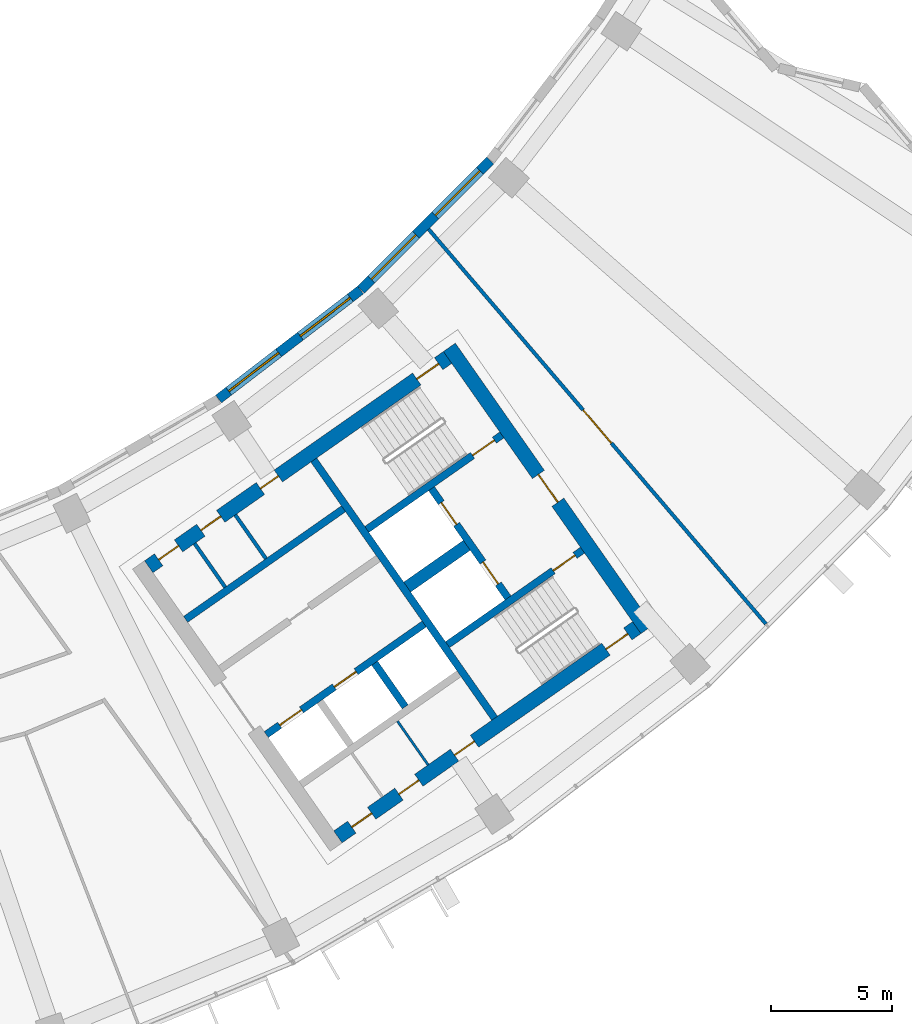
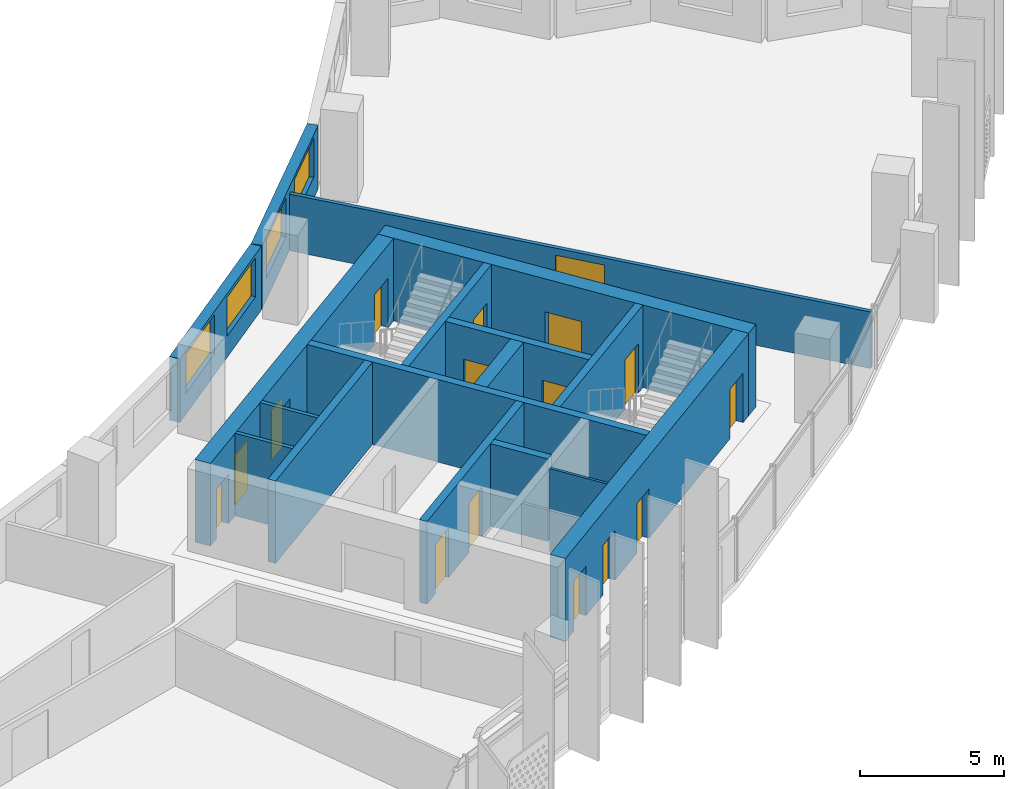
# One storey, part 7 of 27: 17 walls, 16 doors, 4 windows, 20 openings.
"""IFC4 building model written with IfcOpenShell, lengths in metres."""

from ifc_helpers import new_model, si_unit, direction, frame, frame_2d, origin, place, context, subcontext, project, spatial, rectangle, extrude, material, layer, layer_set, type_object, element, fill, save


model = new_model("IFC4")

# Units and contexts
model_context = context("Model", 3, precision=1e-05, world=origin(), true_north=direction((0.0, 1.0)))
body_context = subcontext(model_context, "Body", "Model", "MODEL_VIEW")
ifc_project = project(units=[si_unit("LENGTHUNIT", "METRE"), si_unit("AREAUNIT", "SQUARE_METRE"), si_unit("VOLUMEUNIT", "CUBIC_METRE"), si_unit("PLANEANGLEUNIT", "RADIAN"), si_unit("MASSUNIT", "GRAM", prefix="KILO")], contexts=[model_context])

# Site, building, storey
site_placement = place(None, origin())
site = spatial("IfcSite", under=ifc_project, at=site_placement, CompositionType="ELEMENT")
building_placement = place(site_placement, origin())
building = spatial("IfcBuilding", under=site, at=building_placement, Name="Qamariyya Broadcast Tower", CompositionType="ELEMENT")
storey_placement = place(building_placement, frame((0.0, 0.0, 179.699951171875)))
storey = spatial("IfcBuildingStorey", under=building, at=storey_placement, Name="L42", CompositionType="ELEMENT", Elevation=179.699951171875)

# Wall, opening, door
ifc_material_1 = material(Name="Concrete C60/75", Category="concrete")
ifc_layer_1 = layer(ifc_material_1, 0.60009765625)
ifc_layer_set_1 = layer_set([ifc_layer_1], Name="Core wall 600 mm Concrete C60/75")
wall_type_1 = type_object("IfcWallType", Name="Core wall 600 mm Concrete C60/75", PredefinedType="SHEAR", material=ifc_layer_set_1)
wall_1_placement = place(storey_placement, frame((49.4833984375, -57.031494140625, 0.0), z_axis=(0.0, 0.0, 1.0), x_axis=(-0.573560421458, 0.819163257805, 0.0)))
wall_1 = element("IfcWall", 1, at=wall_1_placement, inside=storey, type_object=wall_type_1, Name="k-E-L42-WH", PredefinedType="SHEAR", context=body_context, shape_type="SweptSolid", body=[
    extrude(rectangle(XDim=14.199951171875, YDim=0.60009765625, at=frame_2d((7.10009765625, 0.0))), origin(), (0.0, 0.0, 1.0), 3.5),
])
opening_1_placement = place(wall_1_placement, frame((6.39990234375, 0.0, 0.0)))
opening_1 = element("IfcOpeningElement", 2, at=opening_1_placement, cuts=wall_1, Name="Opening KD2-E1", PredefinedType="OPENING", context=body_context, shape_type="SweptSolid", body=[
    extrude(rectangle(XDim=1.39990234375, YDim=2.10009765625, at=frame_2d((0.699951171875, 1.050048828125))), frame((0.0, 0.31005859375, 0.0), z_axis=(0.0, -1.0, 0.0), x_axis=(1.0, 0.0, 0.0)), (0.0, 0.0, 1.0), 0.6201171875),
])
ifc_material_2 = material(Name="Steel fire-resisting door leaf", Category="steel")
door_type_1 = type_object("IfcDoorType", Name="Fire-fighting lobby door KD2", OperationType="DOUBLE_DOOR_SINGLE_SWING", PredefinedType="DOOR", material=ifc_material_2)
door_1_placement = place(opening_1_placement, origin())
door_1 = element("IfcDoor", 3, at=door_1_placement, inside=storey, type_object=door_type_1, Name="k-E-L42-WH-D13", OperationType="DOUBLE_DOOR_SINGLE_SWING", OverallHeight=2.10009765625, OverallWidth=1.39990234375, PredefinedType="DOOR", context=body_context, shape_type="SweptSolid", body=[
    extrude(rectangle(XDim=1.39990234375, YDim=2.10009765625, at=frame_2d((0.699951171875, 1.050048828125))), frame((0.0, 0.02490234375, 0.0), z_axis=(0.0, -1.0, 0.0), x_axis=(1.0, 0.0, 0.0)), (0.0, 0.0, 1.0), 0.050048828125),
])
fill(opening_1, door_1)

# Wall, openings, doors
wall_2_placement = place(storey_placement, frame((28.940673828125, -54.447021484375, 0.0), z_axis=(0.0, 0.0, 1.0), x_axis=(0.819153391756, 0.573574511963, 0.0)))
wall_2 = element("IfcWall", 4, at=wall_2_placement, inside=storey, type_object=wall_type_1, Name="k-E-L42-WI", PredefinedType="SHEAR", context=body_context, shape_type="SweptSolid", body=[
    extrude(rectangle(XDim=15.04541015625, YDim=0.60009765625, at=frame_2d((7.522705078125, 0.0))), origin(), (0.0, 0.0, 1.0), 3.5),
])
opening_2_placement = place(wall_2_placement, frame((0.5, 0.0, 0.0)))
opening_2 = element("IfcOpeningElement", 5, at=opening_2_placement, cuts=wall_2, Name="Opening KD6-E2", PredefinedType="OPENING", context=body_context, shape_type="SweptSolid", body=[
    extrude(rectangle(XDim=1.0, YDim=2.10009765625, at=frame_2d((0.5, 1.050048828125))), frame((0.0, 0.31005859375, 0.0), z_axis=(0.0, -1.0, 0.0), x_axis=(1.0, 0.0, 0.0)), (0.0, 0.0, 1.0), 0.6201171875),
])
opening_3_placement = place(wall_2_placement, frame((2.625, 0.0, 0.0)))
opening_3 = element("IfcOpeningElement", 6, at=opening_3_placement, cuts=wall_2, Name="Opening KD7-E1", PredefinedType="OPENING", context=body_context, shape_type="SweptSolid", body=[
    extrude(rectangle(XDim=1.0, YDim=2.10009765625, at=frame_2d((0.5, 1.050048828125))), frame((0.0, 0.31005859375, 0.0), z_axis=(0.0, -1.0, 0.0), x_axis=(1.0, 0.0, 0.0)), (0.0, 0.0, 1.0), 0.6201171875),
])
opening_4_placement = place(wall_2_placement, frame((5.625, 0.0, 0.0)))
opening_4 = element("IfcOpeningElement", 7, at=opening_4_placement, cuts=wall_2, Name="Opening KD5-E1", PredefinedType="OPENING", context=body_context, shape_type="SweptSolid", body=[
    extrude(rectangle(XDim=0.89990234375, YDim=2.10009765625, at=frame_2d((0.449951171875, 1.050048828125))), frame((0.0, 0.31005859375, 0.0), z_axis=(0.0, -1.0, 0.0), x_axis=(1.0, 0.0, 0.0)), (0.0, 0.0, 1.0), 0.6201171875),
])
opening_5_placement = place(wall_2_placement, frame((13.495361328125, 0.0, 0.0)))
opening_5 = element("IfcOpeningElement", 8, at=opening_5_placement, cuts=wall_2, Name="Opening KD1-E1", PredefinedType="OPENING", context=body_context, shape_type="SweptSolid", body=[
    extrude(rectangle(XDim=1.10009765625, YDim=2.10009765625, at=frame_2d((0.550048828125, 1.050048828125))), frame((0.0, 0.31005859375, 0.0), z_axis=(0.0, -1.0, 0.0), x_axis=(1.0, 0.0, 0.0)), (0.0, 0.0, 1.0), 0.6201171875),
])
door_type_2 = type_object("IfcDoorType", Name="Accessible toilet door KD7", OperationType="SINGLE_SWING_LEFT", PredefinedType="DOOR", material=ifc_material_2)
door_2_placement = place(opening_3_placement, origin())
door_2 = element("IfcDoor", 9, at=door_2_placement, inside=storey, type_object=door_type_2, Name="k-E-L42-WI-D6", OperationType="SINGLE_SWING_RIGHT", OverallHeight=2.10009765625, OverallWidth=1.0, PredefinedType="DOOR", context=body_context, shape_type="SweptSolid", body=[
    extrude(rectangle(XDim=1.0, YDim=2.10009765625, at=frame_2d((0.5, 1.050048828125))), frame((0.0, 0.02490234375, 0.0), z_axis=(0.0, -1.0, 0.0), x_axis=(1.0, 0.0, 0.0)), (0.0, 0.0, 1.0), 0.050048828125),
])
fill(opening_3, door_2)
door_type_3 = type_object("IfcDoorType", Name="Core room door KD6", OperationType="SINGLE_SWING_LEFT", PredefinedType="DOOR", material=ifc_material_2)
door_3_placement = place(opening_2_placement, origin())
door_3 = element("IfcDoor", 10, at=door_3_placement, inside=storey, type_object=door_type_3, Name="k-E-L42-WI-D5", OperationType="SINGLE_SWING_LEFT", OverallHeight=2.10009765625, OverallWidth=1.0, PredefinedType="DOOR", context=body_context, shape_type="SweptSolid", body=[
    extrude(rectangle(XDim=1.0, YDim=2.10009765625, at=frame_2d((0.5, 1.050048828125))), frame((0.0, 0.02490234375, 0.0), z_axis=(0.0, -1.0, 0.0), x_axis=(1.0, 0.0, 0.0)), (0.0, 0.0, 1.0), 0.050048828125),
])
fill(opening_2, door_3)
door_type_4 = type_object("IfcDoorType", Name="Stair door KD1", OperationType="SINGLE_SWING_LEFT", PredefinedType="DOOR", material=ifc_material_2)
door_4_placement = place(opening_5_placement, origin())
door_4 = element("IfcDoor", 11, at=door_4_placement, inside=storey, type_object=door_type_4, Name="k-E-L42-WI-D14", OperationType="SINGLE_SWING_RIGHT", OverallHeight=2.10009765625, OverallWidth=1.10009765625, PredefinedType="DOOR", context=body_context, shape_type="SweptSolid", body=[
    extrude(rectangle(XDim=1.10009765625, YDim=2.10009765625, at=frame_2d((0.550048828125, 1.050048828125))), frame((0.0, 0.02490234375, 0.0), z_axis=(0.0, -1.0, 0.0), x_axis=(1.0, 0.0, 0.0)), (0.0, 0.0, 1.0), 0.050048828125),
])
fill(opening_5, door_4)
door_type_5 = type_object("IfcDoorType", Name="Toilet door KD5", OperationType="SINGLE_SWING_LEFT", PredefinedType="DOOR", material=ifc_material_2)
door_5_placement = place(opening_4_placement, origin())
door_5 = element("IfcDoor", 12, at=door_5_placement, inside=storey, type_object=door_type_5, Name="k-E-L42-WI-D7", OperationType="SINGLE_SWING_LEFT", OverallHeight=2.10009765625, OverallWidth=0.89990234375, PredefinedType="DOOR", context=body_context, shape_type="SweptSolid", body=[
    extrude(rectangle(XDim=0.89990234375, YDim=2.10009765625, at=frame_2d((0.449951171875, 1.050048828125))), frame((0.0, 0.02490234375, 0.0), z_axis=(0.0, -1.0, 0.0), x_axis=(1.0, 0.0, 0.0)), (0.0, 0.0, 1.0), 0.050048828125),
])
fill(opening_4, door_5)

wall_3_placement = place(storey_placement, frame((36.7412109375, -65.58740234375, 0.0), z_axis=(0.0, 0.0, 1.0), x_axis=(0.819153391756, 0.573574511963, 0.0)))
wall_3 = element("IfcWall", 13, at=wall_3_placement, inside=storey, type_object=wall_type_1, Name="k-E-L42-WO", PredefinedType="SHEAR", context=body_context, shape_type="SweptSolid", body=[
    extrude(rectangle(XDim=15.04541015625, YDim=0.60009765625, at=frame_2d((7.522705078125, 0.0))), origin(), (0.0, 0.0, 1.0), 3.5),
])
opening_6_placement = place(wall_3_placement, frame((0.699951171875, 0.0, 0.0)))
opening_6 = element("IfcOpeningElement", 14, at=opening_6_placement, cuts=wall_3, Name="Opening KD6-E3", PredefinedType="OPENING", context=body_context, shape_type="SweptSolid", body=[
    extrude(rectangle(XDim=1.0, YDim=2.10009765625, at=frame_2d((0.5, 1.050048828125))), frame((0.0, 0.31005859375, 0.0), z_axis=(0.0, -1.0, 0.0), x_axis=(1.0, 0.0, 0.0)), (0.0, 0.0, 1.0), 0.6201171875),
])
opening_7_placement = place(wall_3_placement, frame((3.074951171875, 0.0, 0.0)))
opening_7 = element("IfcOpeningElement", 15, at=opening_7_placement, cuts=wall_3, Name="Opening KD4-E1", PredefinedType="OPENING", context=body_context, shape_type="SweptSolid", body=[
    extrude(rectangle(XDim=1.0, YDim=2.10009765625, at=frame_2d((0.5, 1.050048828125))), frame((0.0, 0.31005859375, 0.0), z_axis=(0.0, -1.0, 0.0), x_axis=(1.0, 0.0, 0.0)), (0.0, 0.0, 1.0), 0.6201171875),
])
opening_8_placement = place(wall_3_placement, frame((5.875, 0.0, 0.0)))
opening_8 = element("IfcOpeningElement", 16, at=opening_8_placement, cuts=wall_3, Name="Opening KD4-E2", PredefinedType="OPENING", context=body_context, shape_type="SweptSolid", body=[
    extrude(rectangle(XDim=1.0, YDim=2.10009765625, at=frame_2d((0.5, 1.050048828125))), frame((0.0, 0.31005859375, 0.0), z_axis=(0.0, -1.0, 0.0), x_axis=(1.0, 0.0, 0.0)), (0.0, 0.0, 1.0), 0.6201171875),
])
opening_9_placement = place(wall_3_placement, frame((13.495361328125, 0.0, 0.0)))
opening_9 = element("IfcOpeningElement", 17, at=opening_9_placement, cuts=wall_3, Name="Opening KD1-E3", PredefinedType="OPENING", context=body_context, shape_type="SweptSolid", body=[
    extrude(rectangle(XDim=1.10009765625, YDim=2.10009765625, at=frame_2d((0.550048828125, 1.050048828125))), frame((0.0, 0.31005859375, 0.0), z_axis=(0.0, -1.0, 0.0), x_axis=(1.0, 0.0, 0.0)), (0.0, 0.0, 1.0), 0.6201171875),
])
door_6_placement = place(opening_6_placement, origin())
door_6 = element("IfcDoor", 18, at=door_6_placement, inside=storey, type_object=door_type_3, Name="k-E-L42-WO-D8", OperationType="SINGLE_SWING_RIGHT", OverallHeight=2.10009765625, OverallWidth=1.0, PredefinedType="DOOR", context=body_context, shape_type="SweptSolid", body=[
    extrude(rectangle(XDim=1.0, YDim=2.10009765625, at=frame_2d((0.5, 1.050048828125))), frame((0.0, 0.02490234375, 0.0), z_axis=(0.0, -1.0, 0.0), x_axis=(1.0, 0.0, 0.0)), (0.0, 0.0, 1.0), 0.050048828125),
])
fill(opening_6, door_6)
door_type_6 = type_object("IfcDoorType", Name="Riser and plant door KD4", OperationType="SINGLE_SWING_LEFT", PredefinedType="DOOR", material=ifc_material_2)
door_7_placement = place(opening_7_placement, origin())
door_7 = element("IfcDoor", 19, at=door_7_placement, inside=storey, type_object=door_type_6, Name="k-E-L42-WO-D9", OperationType="SINGLE_SWING_LEFT", OverallHeight=2.10009765625, OverallWidth=1.0, PredefinedType="DOOR", context=body_context, shape_type="SweptSolid", body=[
    extrude(rectangle(XDim=1.0, YDim=2.10009765625, at=frame_2d((0.5, 1.050048828125))), frame((0.0, 0.02490234375, 0.0), z_axis=(0.0, -1.0, 0.0), x_axis=(1.0, 0.0, 0.0)), (0.0, 0.0, 1.0), 0.050048828125),
])
fill(opening_7, door_7)
door_8_placement = place(opening_8_placement, origin())
door_8 = element("IfcDoor", 20, at=door_8_placement, inside=storey, type_object=door_type_6, Name="k-E-L42-WO-D10", OperationType="SINGLE_SWING_RIGHT", OverallHeight=2.10009765625, OverallWidth=1.0, PredefinedType="DOOR", context=body_context, shape_type="SweptSolid", body=[
    extrude(rectangle(XDim=1.0, YDim=2.10009765625, at=frame_2d((0.5, 1.050048828125))), frame((0.0, 0.02490234375, 0.0), z_axis=(0.0, -1.0, 0.0), x_axis=(1.0, 0.0, 0.0)), (0.0, 0.0, 1.0), 0.050048828125),
])
fill(opening_8, door_8)
door_9_placement = place(opening_9_placement, origin())
door_9 = element("IfcDoor", 21, at=door_9_placement, inside=storey, type_object=door_type_4, Name="k-E-L42-WO-D16", OperationType="SINGLE_SWING_LEFT", OverallHeight=2.10009765625, OverallWidth=1.10009765625, PredefinedType="DOOR", context=body_context, shape_type="SweptSolid", body=[
    extrude(rectangle(XDim=1.10009765625, YDim=2.10009765625, at=frame_2d((0.550048828125, 1.050048828125))), frame((0.0, 0.02490234375, 0.0), z_axis=(0.0, -1.0, 0.0), x_axis=(1.0, 0.0, 0.0)), (0.0, 0.0, 1.0), 0.050048828125),
])
fill(opening_9, door_9)

# Wall, opening, door
ifc_material_3 = material(Name="Gypsum board partition")
ifc_layer_2 = layer(ifc_material_3, 0.14990234375)
ifc_layer_set_2 = layer_set([ifc_layer_2], Name="Corridor partition 150 EI 60")
wall_type_2 = type_object("IfcWallType", Name="Corridor partition 150 EI 60", PredefinedType="PARTITIONING", material=ifc_layer_set_2)
wall_4_placement = place(storey_placement, frame((40.478759765625, -40.52294921875, 0.0), z_axis=(0.0, 0.0, 1.0), x_axis=(0.649633284071, -0.760247720303, 0.0)))
wall_4 = element("IfcWall", 22, at=wall_4_placement, inside=storey, type_object=wall_type_2, Name="Partition L42-032", PredefinedType="PARTITIONING", context=body_context, shape_type="SweptSolid", body=[
    extrude(rectangle(XDim=21.420166015625, YDim=0.14990234375, at=frame_2d((10.7099609375, 0.0))), origin(), (0.0, 0.0, 1.0), 2.400146484375),
])
opening_10_placement = place(wall_4_placement, frame((9.81005859375, 0.0, 0.0)))
opening_10 = element("IfcOpeningElement", 23, at=opening_10_placement, cuts=wall_4, Name="Opening L42-D16", PredefinedType="OPENING", context=body_context, shape_type="SweptSolid", body=[
    extrude(rectangle(XDim=1.800048828125, YDim=2.10009765625, at=frame_2d((0.89990234375, 1.050048828125))), frame((0.0, 0.0849609375, 0.0), z_axis=(0.0, -1.0, 0.0), x_axis=(1.0, 0.0, 0.0)), (0.0, 0.0, 1.0), 0.169921875),
])
ifc_material_4 = material(Name="Timber fire door leaf", Category="wood")
door_type_7 = type_object("IfcDoorType", Name="Double fire door 1800 x 2100 FD60", OperationType="NOTDEFINED", PredefinedType="DOOR", material=ifc_material_4)
door_10_placement = place(opening_10_placement, origin())
door_10 = element("IfcDoor", 24, at=door_10_placement, inside=storey, type_object=door_type_7, Name="Door L42-D16", OperationType="DOUBLE_DOOR_SINGLE_SWING", OverallHeight=2.10009765625, OverallWidth=1.800048828125, PredefinedType="DOOR", context=body_context, shape_type="SweptSolid", body=[
    extrude(rectangle(XDim=1.800048828125, YDim=2.10009765625, at=frame_2d((0.89990234375, 1.050048828125))), frame((0.0, 0.02490234375, 0.0), z_axis=(0.0, -1.0, 0.0), x_axis=(1.0, 0.0, 0.0)), (0.0, 0.0, 1.0), 0.050048828125),
])
fill(opening_10, door_10)

# Walls
ifc_layer_3 = layer(ifc_material_1, 0.5)
ifc_layer_set_3 = layer_set([ifc_layer_3], Name="Fire-fighting lobby divider wall 500 mm Concrete C60/75")
wall_type_3 = type_object("IfcWallType", Name="Fire-fighting lobby divider wall 500 mm Concrete C60/75", PredefinedType="SOLIDWALL", material=ifc_layer_set_3)
wall_5_placement = place(storey_placement, frame((39.59912109375, -55.28515625, 0.0), z_axis=(0.0, 0.0, 1.0), x_axis=(0.819136323161, 0.573598887793, 0.0)))
element("IfcWall", 25, at=wall_5_placement, inside=storey, type_object=wall_type_3, Name="k-E-L42-FD", PredefinedType="SOLIDWALL", context=body_context, shape_type="SweptSolid", body=[
    extrude(rectangle(XDim=2.999755859375, YDim=0.5, at=frame_2d((1.5, 0.0))), origin(), (0.0, 0.0, 1.0), 3.5),
])
ifc_material_5 = material(Name="Gypsum board partition on steel studs", Category="steel")
ifc_layer_4 = layer(ifc_material_5, 0.14990234375)
ifc_layer_set_4 = layer_set([ifc_layer_4], Name="Gypsum board partition 150 mm")
wall_type_4 = type_object("IfcWallType", Name="Gypsum board partition 150 mm", PredefinedType="PARTITIONING", material=ifc_layer_set_4)
wall_6_placement = place(storey_placement, frame((32.0947265625, -55.290283203125, 0.0), z_axis=(0.0, 0.0, 1.0), x_axis=(-0.573559170999, 0.819164133348, 0.0)))
element("IfcWall", 26, at=wall_6_placement, inside=storey, type_object=wall_type_4, Name="k-E-L42-NP210", PredefinedType="PARTITIONING", context=body_context, shape_type="SweptSolid", body=[
    extrude(rectangle(XDim=2.19970703125, YDim=0.14990234375, at=frame_2d((1.099853515625, 0.0))), origin(), (0.0, 0.0, 1.0), 3.5),
])
wall_7_placement = place(storey_placement, frame((33.774169921875, -54.114501953125, 0.0), z_axis=(0.0, 0.0, 1.0), x_axis=(-0.573581496053, 0.819148501424, 0.0)))
element("IfcWall", 27, at=wall_7_placement, inside=storey, type_object=wall_type_4, Name="k-E-L42-NP415", PredefinedType="PARTITIONING", context=body_context, shape_type="SweptSolid", body=[
    extrude(rectangle(XDim=2.2001953125, YDim=0.14990234375, at=frame_2d((1.10009765625, 0.0))), origin(), (0.0, 0.0, 1.0), 3.5),
])
ifc_layer_5 = layer(ifc_material_1, 0.300048828125)
ifc_layer_set_5 = layer_set([ifc_layer_5], Name="Lift shaft wall 300 mm Concrete C60/75")
wall_type_5 = type_object("IfcWallType", Name="Lift shaft wall 300 mm Concrete C60/75", PredefinedType="SOLIDWALL", material=ifc_layer_set_5)
wall_8_placement = place(storey_placement, frame((43.204345703125, -60.69580078125, 0.0), z_axis=(0.0, 0.0, 1.0), x_axis=(-0.573571992966, 0.819155155563, 0.0)))
element("IfcWall", 28, at=wall_8_placement, inside=storey, type_object=wall_type_5, Name="k-E-L42-WL", PredefinedType="SOLIDWALL", context=body_context, shape_type="SweptSolid", body=[
    extrude(rectangle(XDim=13.000244140625, YDim=0.300048828125, at=frame_2d((6.5, 0.0))), origin(), (0.0, 0.0, 1.0), 3.5),
])
wall_9_placement = place(storey_placement, frame((30.460693359375, -56.61767578125, 0.0), z_axis=(0.0, 0.0, 1.0), x_axis=(0.819142461705, 0.573590121456, 0.0)))
element("IfcWall", 29, at=wall_9_placement, inside=storey, type_object=wall_type_5, Name="k-E-L42-NB0", PredefinedType="SOLIDWALL", context=body_context, shape_type="SweptSolid", body=[
    extrude(rectangle(XDim=7.949951171875, YDim=0.300048828125, at=frame_2d((3.97509765625, 0.0))), origin(), (0.0, 0.0, 1.0), 3.5),
])

# Wall, openings, doors
wall_10_placement = place(storey_placement, frame((33.787353515625, -61.368896484375, 0.0), z_axis=(0.0, 0.0, 1.0), x_axis=(0.819152564888, 0.573575692858, 0.0)))
wall_10 = element("IfcWall", 30, at=wall_10_placement, inside=storey, type_object=wall_type_5, Name="k-E-L42-SF0", PredefinedType="SOLIDWALL", context=body_context, shape_type="SweptSolid", body=[
    extrude(rectangle(XDim=7.9501953125, YDim=0.300048828125, at=frame_2d((3.97509765625, 0.0))), origin(), (0.0, 0.0, 1.0), 3.5),
])
opening_11_placement = place(wall_10_placement, frame((0.675048828125, 0.0, 0.0)))
opening_11 = element("IfcOpeningElement", 31, at=opening_11_placement, cuts=wall_10, Name="Opening LD", PredefinedType="OPENING", context=body_context, shape_type="SweptSolid", body=[
    extrude(rectangle(XDim=1.10009765625, YDim=2.10009765625, at=frame_2d((0.550048828125, 1.050048828125))), frame((0.0, 0.159912109375, 0.0), z_axis=(0.0, -1.0, 0.0), x_axis=(1.0, 0.0, 0.0)), (0.0, 0.0, 1.0), 0.320068359375),
])
opening_12_placement = place(wall_10_placement, frame((3.425048828125, 0.0, 0.0)))
opening_12 = element("IfcOpeningElement", 32, at=opening_12_placement, cuts=wall_10, Name="Opening LD", PredefinedType="OPENING", context=body_context, shape_type="SweptSolid", body=[
    extrude(rectangle(XDim=1.10009765625, YDim=2.10009765625, at=frame_2d((0.550048828125, 1.050048828125))), frame((0.0, 0.159912109375, 0.0), z_axis=(0.0, -1.0, 0.0), x_axis=(1.0, 0.0, 0.0)), (0.0, 0.0, 1.0), 0.320068359375),
])
door_type_8 = type_object("IfcDoorType", Name="Lift landing door LD", OperationType="DOUBLE_DOOR_SLIDING", PredefinedType="DOOR", material=ifc_material_2)
door_11_placement = place(opening_11_placement, origin())
door_11 = element("IfcDoor", 33, at=door_11_placement, inside=storey, type_object=door_type_8, Name="k-E-L42-SF0-D3", OperationType="DOUBLE_DOOR_SLIDING", OverallHeight=2.10009765625, OverallWidth=1.10009765625, PredefinedType="DOOR", context=body_context, shape_type="SweptSolid", body=[
    extrude(rectangle(XDim=1.10009765625, YDim=2.10009765625, at=frame_2d((0.550048828125, 1.050048828125))), frame((0.0, 0.02490234375, 0.0), z_axis=(0.0, -1.0, 0.0), x_axis=(1.0, 0.0, 0.0)), (0.0, 0.0, 1.0), 0.050048828125),
])
fill(opening_11, door_11)
door_12_placement = place(opening_12_placement, origin())
door_12 = element("IfcDoor", 34, at=door_12_placement, inside=storey, type_object=door_type_8, Name="k-E-L42-SF0-D4", OperationType="DOUBLE_DOOR_SLIDING", OverallHeight=2.10009765625, OverallWidth=1.10009765625, PredefinedType="DOOR", context=body_context, shape_type="SweptSolid", body=[
    extrude(rectangle(XDim=1.10009765625, YDim=2.10009765625, at=frame_2d((0.550048828125, 1.050048828125))), frame((0.0, 0.02490234375, 0.0), z_axis=(0.0, -1.0, 0.0), x_axis=(1.0, 0.0, 0.0)), (0.0, 0.0, 1.0), 0.050048828125),
])
fill(opening_12, door_12)

# Wall
wall_11_placement = place(storey_placement, frame((38.255859375, -58.423095703125, 0.0), z_axis=(0.0, 0.0, 1.0), x_axis=(0.573633636671, -0.819111989218, 0.0)))
element("IfcWall", 35, at=wall_11_placement, inside=storey, type_object=wall_type_5, Name="k-E-L42-SD1", PredefinedType="SOLIDWALL", context=body_context, shape_type="SweptSolid", body=[
    extrude(rectangle(XDim=2.199951171875, YDim=0.300048828125, at=frame_2d((1.10009765625, 0.0))), origin(), (0.0, 0.0, 1.0), 3.5),
])

# Wall, opening, door
wall_12_placement = place(storey_placement, frame((37.935546875, -52.90966796875, 0.0), z_axis=(0.0, 0.0, 1.0), x_axis=(0.819147518138, 0.57358290031, 0.0)))
wall_12 = element("IfcWall", 36, at=wall_12_placement, inside=storey, type_object=wall_type_5, Name="k-E-L42-NW", PredefinedType="SOLIDWALL", context=body_context, shape_type="SweptSolid", body=[
    extrude(rectangle(XDim=6.79541015625, YDim=0.300048828125, at=frame_2d((3.397705078125, 0.0))), origin(), (0.0, 0.0, 1.0), 3.5),
])
opening_13_placement = place(wall_12_placement, frame((5.3203125, 0.0, 0.0)))
opening_13 = element("IfcOpeningElement", 37, at=opening_13_placement, cuts=wall_12, Name="Opening KD1-E2", PredefinedType="OPENING", context=body_context, shape_type="SweptSolid", body=[
    extrude(rectangle(XDim=1.10009765625, YDim=2.10009765625, at=frame_2d((0.550048828125, 1.050048828125))), frame((0.0, 0.159912109375, 0.0), z_axis=(0.0, -1.0, 0.0), x_axis=(1.0, 0.0, 0.0)), (0.0, 0.0, 1.0), 0.320068359375),
])
door_13_placement = place(opening_13_placement, origin())
door_13 = element("IfcDoor", 38, at=door_13_placement, inside=storey, type_object=door_type_4, Name="k-E-L42-NW-D15", OperationType="SINGLE_SWING_LEFT", OverallHeight=2.10009765625, OverallWidth=1.10009765625, PredefinedType="DOOR", context=body_context, shape_type="SweptSolid", body=[
    extrude(rectangle(XDim=1.10009765625, YDim=2.10009765625, at=frame_2d((0.550048828125, 1.050048828125))), frame((0.0, 0.02490234375, 0.0), z_axis=(0.0, -1.0, 0.0), x_axis=(1.0, 0.0, 0.0)), (0.0, 0.0, 1.0), 0.050048828125),
])
fill(opening_13, door_13)

wall_13_placement = place(storey_placement, frame((41.262451171875, -57.66064453125, 0.0), z_axis=(0.0, 0.0, 1.0), x_axis=(0.819164398642, 0.573558792102, 0.0)))
wall_13 = element("IfcWall", 39, at=wall_13_placement, inside=storey, type_object=wall_type_5, Name="k-E-L42-SW", PredefinedType="SOLIDWALL", context=body_context, shape_type="SweptSolid", body=[
    extrude(rectangle(XDim=6.795166015625, YDim=0.300048828125, at=frame_2d((3.3974609375, 0.0))), origin(), (0.0, 0.0, 1.0), 3.5),
])
opening_14_placement = place(wall_13_placement, frame((5.3203125, 0.0, 0.0)))
opening_14 = element("IfcOpeningElement", 40, at=opening_14_placement, cuts=wall_13, Name="Opening KD1-E4", PredefinedType="OPENING", context=body_context, shape_type="SweptSolid", body=[
    extrude(rectangle(XDim=1.10009765625, YDim=2.10009765625, at=frame_2d((0.550048828125, 1.050048828125))), frame((0.0, 0.159912109375, 0.0), z_axis=(0.0, -1.0, 0.0), x_axis=(1.0, 0.0, 0.0)), (0.0, 0.0, 1.0), 0.320068359375),
])
door_14_placement = place(opening_14_placement, origin())
door_14 = element("IfcDoor", 41, at=door_14_placement, inside=storey, type_object=door_type_4, Name="k-E-L42-SW-D17", OperationType="SINGLE_SWING_LEFT", OverallHeight=2.10009765625, OverallWidth=1.10009765625, PredefinedType="DOOR", context=body_context, shape_type="SweptSolid", body=[
    extrude(rectangle(XDim=1.10009765625, YDim=2.10009765625, at=frame_2d((0.550048828125, 1.050048828125))), frame((0.0, 0.02490234375, 0.0), z_axis=(0.0, -1.0, 0.0), x_axis=(1.0, 0.0, 0.0)), (0.0, 0.0, 1.0), 0.050048828125),
])
fill(opening_14, door_14)

# Wall, openings, doors
wall_14_placement = place(storey_placement, frame((43.756591796875, -55.731201171875, 0.0), z_axis=(0.0, 0.0, 1.0), x_axis=(-0.573536818435, 0.819179783625, 0.0)))
wall_14 = element("IfcWall", 42, at=wall_14_placement, inside=storey, type_object=wall_type_5, Name="k-E-L42-FF", PredefinedType="SOLIDWALL", context=body_context, shape_type="SweptSolid", body=[
    extrude(rectangle(XDim=5.500244140625, YDim=0.300048828125, at=frame_2d((2.75, 0.0))), origin(), (0.0, 0.0, 1.0), 3.5),
])
opening_15_placement = place(wall_14_placement, frame((0.699951171875, 0.0, 0.0)))
opening_15 = element("IfcOpeningElement", 43, at=opening_15_placement, cuts=wall_14, Name="Opening LD", PredefinedType="OPENING", context=body_context, shape_type="SweptSolid", body=[
    extrude(rectangle(XDim=1.10009765625, YDim=2.10009765625, at=frame_2d((0.550048828125, 1.050048828125))), frame((0.0, 0.159912109375, 0.0), z_axis=(0.0, -1.0, 0.0), x_axis=(1.0, 0.0, 0.0)), (0.0, 0.0, 1.0), 0.320068359375),
])
opening_16_placement = place(wall_14_placement, frame((3.699951171875, 0.0, 0.0)))
opening_16 = element("IfcOpeningElement", 44, at=opening_16_placement, cuts=wall_14, Name="Opening LD", PredefinedType="OPENING", context=body_context, shape_type="SweptSolid", body=[
    extrude(rectangle(XDim=1.10009765625, YDim=2.10009765625, at=frame_2d((0.550048828125, 1.050048828125))), frame((0.0, 0.159912109375, 0.0), z_axis=(0.0, -1.0, 0.0), x_axis=(1.0, 0.0, 0.0)), (0.0, 0.0, 1.0), 0.320068359375),
])
door_15_placement = place(opening_15_placement, origin())
door_15 = element("IfcDoor", 45, at=door_15_placement, inside=storey, type_object=door_type_8, Name="k-E-L42-FF-D11", OperationType="DOUBLE_DOOR_SLIDING", OverallHeight=2.10009765625, OverallWidth=1.10009765625, PredefinedType="DOOR", context=body_context, shape_type="SweptSolid", body=[
    extrude(rectangle(XDim=1.10009765625, YDim=2.10009765625, at=frame_2d((0.550048828125, 1.050048828125))), frame((0.0, 0.02490234375, 0.0), z_axis=(0.0, -1.0, 0.0), x_axis=(1.0, 0.0, 0.0)), (0.0, 0.0, 1.0), 0.050048828125),
])
fill(opening_15, door_15)
door_16_placement = place(opening_16_placement, origin())
door_16 = element("IfcDoor", 46, at=door_16_placement, inside=storey, type_object=door_type_8, Name="k-E-L42-FF-D12", OperationType="DOUBLE_DOOR_SLIDING", OverallHeight=2.10009765625, OverallWidth=1.10009765625, PredefinedType="DOOR", context=body_context, shape_type="SweptSolid", body=[
    extrude(rectangle(XDim=1.10009765625, YDim=2.10009765625, at=frame_2d((0.550048828125, 1.050048828125))), frame((0.0, 0.02490234375, 0.0), z_axis=(0.0, -1.0, 0.0), x_axis=(1.0, 0.0, 0.0)), (0.0, 0.0, 1.0), 0.050048828125),
])
fill(opening_16, door_16)

# Wall
ifc_material_6 = material(Name="Fire-rated gypsum shaft liner on steel studs", Category="steel")
ifc_layer_6 = layer(ifc_material_6, 0.10009765625)
ifc_layer_set_6 = layer_set([ifc_layer_6], Name="Riser wall 100 mm")
wall_type_6 = type_object("IfcWallType", Name="Riser wall 100 mm", PredefinedType="PLUMBINGWALL", material=ifc_layer_set_6)
wall_15_placement = place(storey_placement, frame((39.1982421875, -60.81494140625, 0.0), z_axis=(0.0, 0.0, 1.0), x_axis=(0.573581496053, -0.819148501424, 0.0)))
element("IfcWall", 47, at=wall_15_placement, inside=storey, type_object=wall_type_6, Name="k-E-L42-SP475", PredefinedType="PLUMBINGWALL", context=body_context, shape_type="SweptSolid", body=[
    extrude(rectangle(XDim=2.2001953125, YDim=0.10009765625, at=frame_2d((1.10009765625, 0.0))), origin(), (0.0, 0.0, 1.0), 3.5),
])

# Wall, openings, windows
ifc_material_7 = material(Name="Terracotta", Category="masonry")
ifc_layer_7 = layer(ifc_material_7, 0.39990234375)
ifc_layer_set_7 = layer_set([ifc_layer_7], Name="Terracotta clad wall 400")
wall_type_7 = type_object("IfcWallType", Name="Terracotta clad wall 400", PredefinedType="SOLIDWALL", material=ifc_layer_set_7)
wall_16_placement = place(storey_placement, frame((37.674560546875, -43.036376953125, 0.0), z_axis=(0.0, 0.0, 1.0), x_axis=(-0.79334647843, -0.608770371457, 0.0)))
wall_16 = element("IfcWall", 48, at=wall_16_placement, inside=storey, type_object=wall_type_7, Name="e-wl-L42-in120", PredefinedType="SOLIDWALL", context=body_context, shape_type="SweptSolid", body=[
    extrude(rectangle(XDim=7.380615234375, YDim=0.39990234375, at=frame_2d((3.6904296875, 0.0))), origin(), (0.0, 0.0, 1.0), 2.699951171875),
])
opening_17_placement = place(wall_16_placement, frame((4.25439453125, 0.0, 0.89990234375)))
opening_17 = element("IfcOpeningElement", 49, at=opening_17_placement, cuts=wall_16, Name="Opening W1", PredefinedType="OPENING", context=body_context, shape_type="SweptSolid", body=[
    extrude(rectangle(XDim=2.60009765625, YDim=1.64990234375, at=frame_2d((1.300048828125, 0.824951171875))), frame((0.0, 0.2099609375, 0.0), z_axis=(0.0, -1.0, 0.0), x_axis=(1.0, 0.0, 0.0)), (0.0, 0.0, 1.0), 0.419921875),
])
opening_18_placement = place(wall_16_placement, frame((0.5263671875, 0.0, 0.89990234375)))
opening_18 = element("IfcOpeningElement", 50, at=opening_18_placement, cuts=wall_16, Name="Opening W1", PredefinedType="OPENING", context=body_context, shape_type="SweptSolid", body=[
    extrude(rectangle(XDim=2.60009765625, YDim=1.64990234375, at=frame_2d((1.300048828125, 0.824951171875))), frame((0.0, 0.2099609375, 0.0), z_axis=(0.0, -1.0, 0.0), x_axis=(1.0, 0.0, 0.0)), (0.0, 0.0, 1.0), 0.419921875),
])
ifc_material_8 = material(Name="Clear low-e double glazed unit in aluminium frame", Category="aluminium")
window_type = type_object("IfcWindowType", Name="Ribbon window 2600 x 1650", PartitioningType="SINGLE_PANEL", PredefinedType="WINDOW", material=ifc_material_8)
window_1_placement = place(opening_17_placement, origin())
window_1 = element("IfcWindow", 51, at=window_1_placement, inside=storey, type_object=window_type, Name="e-w-L42-in12-0", OverallHeight=1.64990234375, OverallWidth=2.60009765625, PartitioningType="SINGLE_PANEL", PredefinedType="WINDOW", context=body_context, shape_type="SweptSolid", body=[
    extrude(rectangle(XDim=2.60009765625, YDim=1.64990234375, at=frame_2d((1.300048828125, 0.824951171875))), frame((0.0, 0.030029296875, 0.0), z_axis=(0.0, -1.0, 0.0), x_axis=(1.0, 0.0, 0.0)), (0.0, 0.0, 1.0), 0.06005859375),
])
fill(opening_17, window_1)
window_2_placement = place(opening_18_placement, origin())
window_2 = element("IfcWindow", 52, at=window_2_placement, inside=storey, type_object=window_type, Name="e-w-L42-in12-1", OverallHeight=1.64990234375, OverallWidth=2.60009765625, PartitioningType="SINGLE_PANEL", PredefinedType="WINDOW", context=body_context, shape_type="SweptSolid", body=[
    extrude(rectangle(XDim=2.60009765625, YDim=1.64990234375, at=frame_2d((1.300048828125, 0.824951171875))), frame((0.0, 0.030029296875, 0.0), z_axis=(0.0, -1.0, 0.0), x_axis=(1.0, 0.0, 0.0)), (0.0, 0.0, 1.0), 0.06005859375),
])
fill(opening_18, window_2)

wall_17_placement = place(storey_placement, frame((43.023193359375, -37.697265625, 0.0), z_axis=(0.0, 0.0, 1.0), x_axis=(-0.707106781187, -0.707106781187, 0.0)))
wall_17 = element("IfcWall", 53, at=wall_17_placement, inside=storey, type_object=wall_type_7, Name="e-wl-L42-in130", PredefinedType="SOLIDWALL", context=body_context, shape_type="SweptSolid", body=[
    extrude(rectangle(XDim=7.531982421875, YDim=0.39990234375, at=frame_2d((3.76611328125, 0.0))), origin(), (0.0, 0.0, 1.0), 2.699951171875),
])
opening_19_placement = place(wall_17_placement, frame((4.330078125, 0.0, 0.89990234375)))
opening_19 = element("IfcOpeningElement", 54, at=opening_19_placement, cuts=wall_17, Name="Opening W1", PredefinedType="OPENING", context=body_context, shape_type="SweptSolid", body=[
    extrude(rectangle(XDim=2.60009765625, YDim=1.64990234375, at=frame_2d((1.300048828125, 0.824951171875))), frame((0.0, 0.2099609375, 0.0), z_axis=(0.0, -1.0, 0.0), x_axis=(1.0, 0.0, 0.0)), (0.0, 0.0, 1.0), 0.419921875),
])
opening_20_placement = place(wall_17_placement, frame((0.60205078125, 0.0, 0.89990234375)))
opening_20 = element("IfcOpeningElement", 55, at=opening_20_placement, cuts=wall_17, Name="Opening W1", PredefinedType="OPENING", context=body_context, shape_type="SweptSolid", body=[
    extrude(rectangle(XDim=2.60009765625, YDim=1.64990234375, at=frame_2d((1.300048828125, 0.824951171875))), frame((0.0, 0.2099609375, 0.0), z_axis=(0.0, -1.0, 0.0), x_axis=(1.0, 0.0, 0.0)), (0.0, 0.0, 1.0), 0.419921875),
])
window_3_placement = place(opening_19_placement, origin())
window_3 = element("IfcWindow", 56, at=window_3_placement, inside=storey, type_object=window_type, Name="e-w-L42-in13-0", OverallHeight=1.64990234375, OverallWidth=2.60009765625, PartitioningType="SINGLE_PANEL", PredefinedType="WINDOW", context=body_context, shape_type="SweptSolid", body=[
    extrude(rectangle(XDim=2.60009765625, YDim=1.64990234375, at=frame_2d((1.300048828125, 0.824951171875))), frame((0.0, 0.030029296875, 0.0), z_axis=(0.0, -1.0, 0.0), x_axis=(1.0, 0.0, 0.0)), (0.0, 0.0, 1.0), 0.06005859375),
])
fill(opening_19, window_3)
window_4_placement = place(opening_20_placement, origin())
window_4 = element("IfcWindow", 57, at=window_4_placement, inside=storey, type_object=window_type, Name="e-w-L42-in13-1", OverallHeight=1.64990234375, OverallWidth=2.60009765625, PartitioningType="SINGLE_PANEL", PredefinedType="WINDOW", context=body_context, shape_type="SweptSolid", body=[
    extrude(rectangle(XDim=2.60009765625, YDim=1.64990234375, at=frame_2d((1.300048828125, 0.824951171875))), frame((0.0, 0.030029296875, 0.0), z_axis=(0.0, -1.0, 0.0), x_axis=(1.0, 0.0, 0.0)), (0.0, 0.0, 1.0), 0.06005859375),
])
fill(opening_20, window_4)

save(model, "model.ifc")
